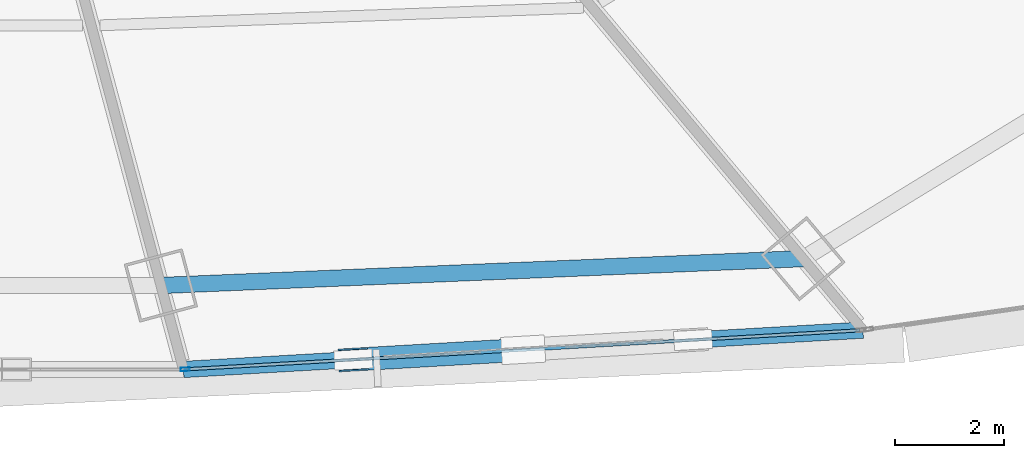
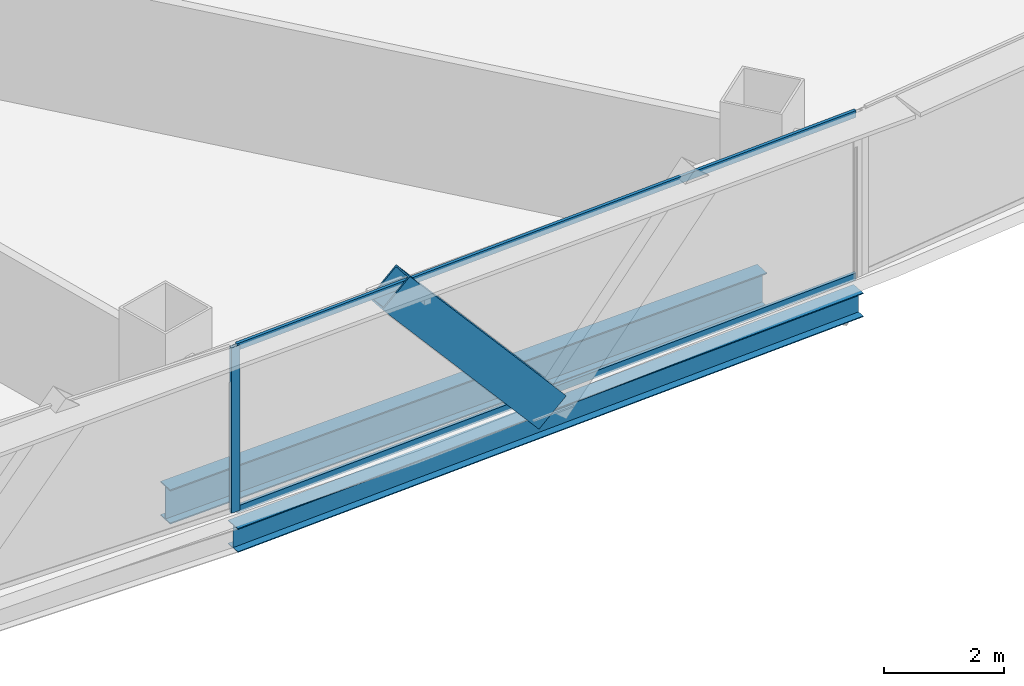
# One storey, part 10 of 42: 4 members, 2 beams, 1 element without a shape of its own.
"""IFC4 building model written with IfcOpenShell, lengths in metres."""

from ifc_helpers import new_model, si_unit, direction, frame, origin, origin_2d, place, context, subcontext, project, spatial, hollow_rectangle, i_section, extrude, source, transform, mapped, material, layer, layer_set, material_profile, profile_set, type_object, element, aggregate, save


model = new_model("IFC4")

# Units and contexts
model_context = context("Model", 3, precision=1e-05, world=origin(), true_north=direction((0.0, 1.0)))
body_context = subcontext(model_context, "Body", "Model", "MODEL_VIEW")
ifc_project = project(units=[si_unit("LENGTHUNIT", "METRE"), si_unit("AREAUNIT", "SQUARE_METRE"), si_unit("VOLUMEUNIT", "CUBIC_METRE"), si_unit("PLANEANGLEUNIT", "RADIAN"), si_unit("MASSUNIT", "GRAM", prefix="KILO"), si_unit("THERMODYNAMICTEMPERATUREUNIT", "KELVIN"), si_unit("POWERUNIT", "WATT")], contexts=[model_context])

# Site, building, storey
site_placement = place(None, origin())
site = spatial("IfcSite", under=ifc_project, at=site_placement, CompositionType="ELEMENT")
building_placement = place(site_placement, origin())
building = spatial("IfcBuilding", under=site, at=building_placement, Name="Yunzhuo Pagoda Commons", CompositionType="ELEMENT")
storey_placement = place(building_placement, frame((0.0, 0.0, 41.2900390625)))
storey = spatial("IfcBuildingStorey", under=building, at=storey_placement, Name="L10", CompositionType="ELEMENT", Elevation=41.2900390625)

# Beams
ifc_material_1 = material(Name="Structural steel Q355B", Category="steel")
ifc_material_profile_1 = material_profile(ifc_material_1, i_section(OverallWidth=0.300048828125, OverallDepth=0.699951171875, WebThickness=0.012939453125, FlangeThickness=0.02392578125, at=origin_2d()), Name="Structural steel Q355B")
ifc_profile_set_1 = profile_set([ifc_material_profile_1], Name="Structural steel Q355B")
beam_type_1 = type_object("IfcBeamType", Name="B-RG1 Beam HN 700x300x13x24", PredefinedType="BEAM", material=ifc_profile_set_1)
shared_shape_1 = source(origin(), body_context, "Body", "SweptSolid", [
    extrude(i_section(OverallWidth=0.300048828125, OverallDepth=0.699951171875, WebThickness=0.012939453125, FlangeThickness=0.02392578125, at=origin_2d()), origin(), (0.0, 0.0, 1.0), 11.7900390625),
])
beam_1_placement = place(storey_placement, frame((53.72021484375, 12.35205078125, -0.610107421875), z_axis=(0.99912739354, 0.041766631146, 0.0), x_axis=(-0.041766631146, 0.99912739354, 0.0)))
element("IfcBeam", 1, at=beam_1_placement, inside=storey, type_object=beam_type_1, Name="L10 column-ring beam 3", PredefinedType="BEAM", context=body_context, shape_type="MappedRepresentation", body=[
    mapped(shared_shape_1, transform((0.0, 0.0, 0.0), scale=1.0)),
])
ifc_material_profile_2 = material_profile(ifc_material_1, i_section(OverallWidth=0.300048828125, OverallDepth=0.488037109375, WebThickness=0.010986328125, FlangeThickness=0.01806640625, at=origin_2d()), Name="Structural steel Q355B")
ifc_profile_set_2 = profile_set([ifc_material_profile_2], Name="Structural steel Q355B")
beam_type_2 = type_object("IfcBeamType", Name="B-SP1 Beam HM 488x300x11x18", PredefinedType="BEAM", material=ifc_profile_set_2)
shared_shape_2 = source(origin(), body_context, "Body", "SweptSolid", [
    extrude(i_section(OverallWidth=0.300048828125, OverallDepth=0.488037109375, WebThickness=0.010986328125, FlangeThickness=0.01806640625, at=origin_2d()), origin(), (0.0, 0.0, 1.0), 12.488037109375),
])
beam_2_placement = place(storey_placement, frame((54.133056640625, 10.811279296875, -0.504150390625), z_axis=(0.998328811504, 0.057789134978, 0.0), x_axis=(-0.057789134978, 0.998328811504, 0.0)))
element("IfcBeam", 2, at=beam_2_placement, inside=storey, type_object=beam_type_2, Name="L10 facade edge spandrel beam F1.3", PredefinedType="BEAM", context=body_context, shape_type="MappedRepresentation", body=[
    mapped(shared_shape_2, transform((0.0, 0.0, 0.0), scale=1.0)),
])

# Member
ifc_material_2 = material(Name="Structural steel Q420B", Category="steel")
ifc_material_profile_3 = material_profile(ifc_material_2, hollow_rectangle(XDim=0.419921875, YDim=0.719970703125, WallThickness=0.028076171875, at=origin_2d()), Name="Structural steel Q420B")
ifc_profile_set_3 = profile_set([ifc_material_profile_3], Name="Structural steel Q420B")
member_type_1 = type_object("IfcMemberType", Name="M-DL1 Brace BOX 720x420x28", PredefinedType="BRACE", material=ifc_profile_set_3)
shared_shape_3 = source(origin(), body_context, "Body", "SweptSolid", [
    extrude(hollow_rectangle(XDim=0.419921875, YDim=0.719970703125, WallThickness=0.028076171875, at=origin_2d()), origin(), (0.0, 0.0, 1.0), 4.787841796875),
])
member_1_placement = place(storey_placement, frame((60.36669921875, 11.172119140625, -0.260009765625), z_axis=(-0.65100498202, -0.037682515995, 0.758137547793), x_axis=(0.057786879313, -0.998328942072, 0.0)))
element("IfcMember", 3, at=member_1_placement, inside=storey, type_object=member_type_1, Name="L10 facade diamond brace F1.3L", PredefinedType="BRACE", context=body_context, shape_type="MappedRepresentation", body=[
    mapped(shared_shape_3, transform((0.0, 0.0, 0.0), scale=1.0)),
])

# Curtain wall, members
ifc_material_3 = material(Name="Anodized aluminium 6063-T6", Category="aluminium")
ifc_layer = layer(ifc_material_3, 0.1650390625)
ifc_layer_set = layer_set([ifc_layer], Name="Anodized aluminium 6063-T6")
curtain_wall_type = type_object("IfcCurtainWallType", Name="CW-LOW Low-Zone Ribbon Curtain Wall", PredefinedType="NOTDEFINED", material=ifc_layer_set)
curtain_wall_placement = place(storey_placement, origin())
curtain_wall = element("IfcCurtainWall", 4, at=curtain_wall_placement, inside=storey, type_object=curtain_wall_type, Name="L10 curtain wall CW-L10-F1B4", PredefinedType="NOTDEFINED")
ifc_material_profile_4 = material_profile(ifc_material_3, hollow_rectangle(XDim=0.06494140625, YDim=0.1650390625, WallThickness=0.00390625, at=origin_2d()), Name="Anodized aluminium 6063-T6")
ifc_profile_set_4 = profile_set([ifc_material_profile_4], Name="Anodized aluminium 6063-T6")
member_type_2 = type_object("IfcMemberType", Name="CW-LOW-M Mullion RHS 165x65x4", PredefinedType="MULLION", material=ifc_profile_set_4)
shared_shape_4 = source(origin(), body_context, "Body", "SweptSolid", [
    extrude(hollow_rectangle(XDim=0.06494140625, YDim=0.1650390625, WallThickness=0.00390625, at=origin_2d()), origin(), (0.0, 0.0, 1.0), 3.369873046875),
])
member_2_placement = place(storey_placement, frame((54.16552734375, 10.813232421875, 0.0), z_axis=(0.0, 0.0, 1.0), x_axis=(-0.057790687505, 0.998328721633, 0.0)))
member_2 = element("IfcMember", 5, at=member_2_placement, type_object=member_type_2, Name="CW mullion 1", PredefinedType="MULLION", context=body_context, shape_type="MappedRepresentation", body=[
    mapped(shared_shape_4, transform((0.0, 0.0, 0.0), scale=1.0)),
])
ifc_material_profile_5 = material_profile(ifc_material_3, hollow_rectangle(XDim=0.06005859375, YDim=0.139892578125, WallThickness=0.00341796875, at=origin_2d()), Name="Anodized aluminium 6063-T6")
ifc_profile_set_5 = profile_set([ifc_material_profile_5], Name="Anodized aluminium 6063-T6")
member_type_3 = type_object("IfcMemberType", Name="CW-LOW-T Transom RHS 140x60x3.5", PredefinedType="USERDEFINED", material=ifc_profile_set_5)
shared_shape_5 = source(origin(), body_context, "Body", "SweptSolid", [
    extrude(hollow_rectangle(XDim=0.06005859375, YDim=0.139892578125, WallThickness=0.00341796875, at=origin_2d()), origin(), (0.0, 0.0, 1.0), 12.358154296875),
])
member_3_placement = place(storey_placement, frame((54.197998046875, 10.81494140625, 0.030029296875), z_axis=(0.998327904956, 0.0578047938, 0.0), x_axis=(-0.0578047938, 0.998327904956, 0.0)))
member_3 = element("IfcMember", 6, at=member_3_placement, type_object=member_type_3, Name="CW transom 1.1", ObjectType="TRANSOM", PredefinedType="USERDEFINED", context=body_context, shape_type="MappedRepresentation", body=[
    mapped(shared_shape_5, transform((0.0, 0.0, 0.0), scale=1.0)),
])
member_4_placement = place(storey_placement, frame((54.197998046875, 10.81494140625, 3.33984375), z_axis=(0.998327904956, 0.0578047938, 0.0), x_axis=(-0.0578047938, 0.998327904956, 0.0)))
member_4 = element("IfcMember", 7, at=member_4_placement, type_object=member_type_3, Name="CW transom 1.2", ObjectType="TRANSOM", PredefinedType="USERDEFINED", context=body_context, shape_type="MappedRepresentation", body=[
    mapped(shared_shape_5, transform((0.0, 0.0, 0.0), scale=1.0)),
])
aggregate(curtain_wall, [member_2, member_3, member_4])

save(model, "model.ifc")
